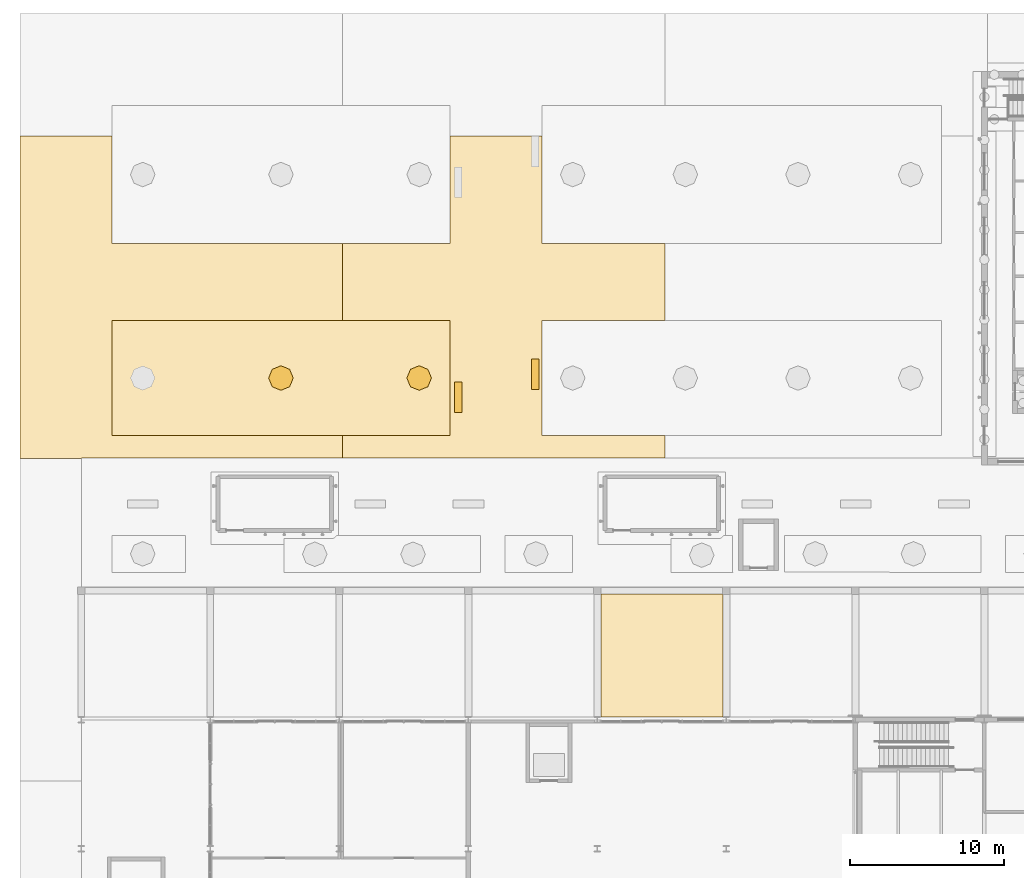
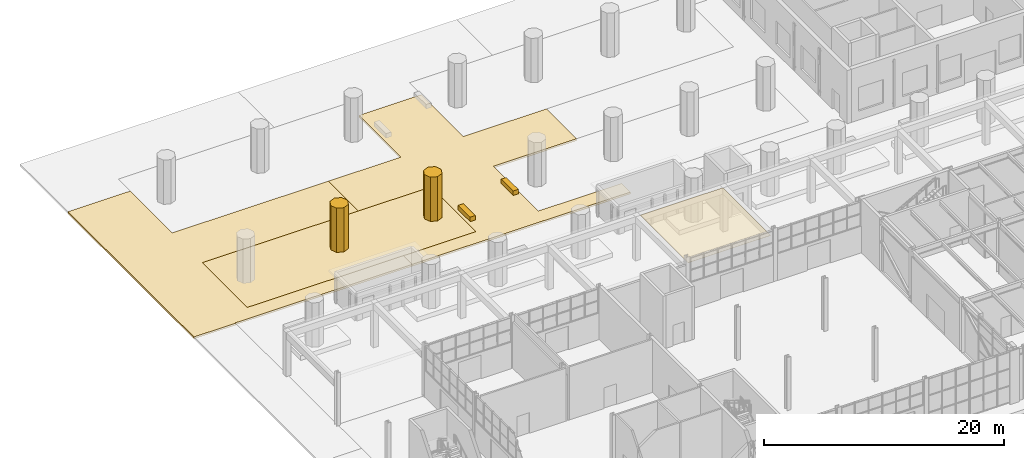
# One storey, part 115 of 127: 8 coverings.
"""IFC4 building model written with IfcOpenShell, lengths in metres."""

from ifc_helpers import new_model, si_unit, direction, frame, origin, place, context, subcontext, project, spatial, polyline, outline, extrude, material, layer, layer_set, type_object, element, save


model = new_model("IFC4")

# Units and contexts
model_context = context("Model", 3, precision=1e-05, world=origin(), true_north=direction((0.0, 1.0)))
body_context = subcontext(model_context, "Body", "Model", "MODEL_VIEW")
ifc_project = project(units=[si_unit("LENGTHUNIT", "METRE"), si_unit("AREAUNIT", "SQUARE_METRE"), si_unit("VOLUMEUNIT", "CUBIC_METRE"), si_unit("PLANEANGLEUNIT", "RADIAN"), si_unit("MASSUNIT", "GRAM", prefix="KILO")], contexts=[model_context])

# Site, building, storey
site_placement = place(None, origin())
site = spatial("IfcSite", under=ifc_project, at=site_placement, CompositionType="ELEMENT")
building_placement = place(site_placement, origin())
building = spatial("IfcBuilding", under=site, at=building_placement, Name="Ljudholm Concert House", CompositionType="ELEMENT")
storey_placement = place(building_placement, origin())
storey = spatial("IfcBuildingStorey", under=building, at=storey_placement, Name="L00", CompositionType="ELEMENT", Elevation=0.0)

# Coverings
ifc_material_1 = material(Name="Aluminium soffit panels, timber-grain PVDF finish", Category="aluminium")
ifc_layer_1 = layer(ifc_material_1, 0.02001953125)
ifc_layer_set_1 = layer_set([ifc_layer_1], Name="Aluminium soffit panels, timber-grain PVDF finish")
covering_type_1 = type_object("IfcCoveringType", Name="ALUMINIUM SOFFIT PANELS, TIMBER-GRAIN PVDF FINISH CEILING 20", PredefinedType="CEILING", material=ifc_layer_set_1)
covering_1_placement = place(storey_placement, frame((0.0, 0.0, 4.47998046875)))
element("IfcCovering", 1, at=covering_1_placement, inside=storey, type_object=covering_type_1, Name="Arcade soffit", PredefinedType="CEILING", context=body_context, shape_type="SweptSolid", body=[
    extrude(outline(polyline([(37.824951171875, 130.186767578125), (45.77490234375, 130.186767578125), (45.77490234375, 138.175048828125), (37.824951171875, 138.175048828125), (37.824951171875, 130.186767578125)])), origin(), (0.0, 0.0, 1.0), 0.02001953125),
])
ifc_material_2 = material(Name="Planting soil and ground cover")
ifc_layer_2 = layer(ifc_material_2, 0.449951171875)
ifc_layer_set_2 = layer_set([ifc_layer_2], Name="Planting soil and ground cover")
covering_type_2 = type_object("IfcCoveringType", Name="PLANTING SOIL AND GROUND COVER FLOOR FINISH 450", PredefinedType="FLOORING", material=ifc_layer_set_2)
covering_2_placement = place(storey_placement, frame((0.0, 0.0, -0.449951171875)))
element("IfcCovering", 2, at=covering_2_placement, inside=storey, type_object=covering_type_2, Name="Garden bed", PredefinedType="FLOORING", context=body_context, shape_type="SweptSolid", body=[
    extrude(outline(polyline([(6.0, 148.5), (28.0, 148.5), (28.0, 156.0), (6.0, 156.0), (6.0, 148.5)])), origin(), (0.0, 0.0, 1.0), 0.449951171875),
])
ifc_material_3 = material(Name="Precast concrete pavers on compacted sand bed", Category="concrete")
ifc_layer_3 = layer(ifc_material_3, 0.199951171875)
ifc_layer_set_3 = layer_set([ifc_layer_3], Name="Precast concrete pavers on compacted sand bed")
covering_type_3 = type_object("IfcCoveringType", Name="PRECAST CONCRETE PAVERS ON COMPACTED SAND BED PAVING 200", PredefinedType="USERDEFINED", material=ifc_layer_set_3)
covering_3_placement = place(storey_placement, frame((0.0, 0.0, -0.199951171875)))
element("IfcCovering", 3, at=covering_3_placement, inside=storey, type_object=covering_type_3, Name="Paving", ObjectType="PAVING", PredefinedType="USERDEFINED", context=body_context, shape_type="SweptSolid", body=[
    extrude(outline(polyline([(0.010009765625, 168.0), (6.0, 168.0), (6.0, 161.0), (21.0, 161.0), (21.0, 156.0), (6.0, 156.0), (6.0, 148.5), (21.0, 148.5), (21.0, 147.050048828125), (4.0, 147.050048828125), (4.0, 147.0), (0.010009765625, 147.0), (0.010009765625, 168.0)])), origin(), (0.0, 0.0, 1.0), 0.199951171875),
])
covering_4_placement = place(storey_placement, frame((0.0, 0.0, -0.199951171875)))
element("IfcCovering", 4, at=covering_4_placement, inside=storey, type_object=covering_type_3, Name="Paving", ObjectType="PAVING", PredefinedType="USERDEFINED", context=body_context, shape_type="SweptSolid", body=[
    extrude(outline(polyline([(21.0, 147.050048828125), (21.0, 148.5), (28.0, 148.5), (28.0, 156.0), (21.0, 156.0), (21.0, 161.0), (28.0, 161.0), (28.0, 168.0), (34.0, 168.0), (34.0, 161.0), (42.0, 161.0), (42.0, 156.0), (34.0, 156.0), (34.0, 148.5), (42.0, 148.5), (42.0, 147.050048828125), (21.0, 147.050048828125)])), origin(), (0.0, 0.0, 1.0), 0.199951171875),
])
ifc_material_4 = material(Name="Timber-grain hardwood decking on concrete plinth", Category="concrete")
ifc_layer_4 = layer(ifc_material_4, 0.449951171875)
ifc_layer_set_4 = layer_set([ifc_layer_4], Name="Timber-grain hardwood decking on concrete plinth")
covering_type_4 = type_object("IfcCoveringType", Name="TIMBER-GRAIN HARDWOOD DECKING ON CONCRETE PLINTH FLOOR FINISH 450", PredefinedType="FLOORING", material=ifc_layer_set_4)
covering_5_placement = place(storey_placement, origin())
element("IfcCovering", 5, at=covering_5_placement, inside=storey, type_object=covering_type_4, Name="Timber seating platform", PredefinedType="FLOORING", context=body_context, shape_type="SweptSolid", body=[
    extrude(outline(polyline([(28.300048828125, 150.0), (28.800048828125, 150.0), (28.800048828125, 152.0), (28.300048828125, 152.0), (28.300048828125, 150.0)])), origin(), (0.0, 0.0, 1.0), 0.449951171875),
])
covering_6_placement = place(storey_placement, origin())
element("IfcCovering", 6, at=covering_6_placement, inside=storey, type_object=covering_type_4, Name="Timber seating platform", PredefinedType="FLOORING", context=body_context, shape_type="SweptSolid", body=[
    extrude(outline(polyline([(33.300048828125, 151.5), (33.800048828125, 151.5), (33.800048828125, 153.5), (33.300048828125, 153.5), (33.300048828125, 151.5)])), origin(), (0.0, 0.0, 1.0), 0.449951171875),
])
ifc_material_5 = material(Name="Tree planting")
covering_type_5 = type_object("IfcCoveringType", Name="TREE TRUNK AND CROWN 1600", PredefinedType="USERDEFINED", material=ifc_material_5)
covering_7_placement = place(storey_placement, origin())
element("IfcCovering", 7, at=covering_7_placement, inside=storey, type_object=covering_type_5, Name="Tree", ObjectType="TREE", PredefinedType="USERDEFINED", context=body_context, shape_type="SweptSolid", body=[
    extrude(outline(polyline([(17.800048828125, 152.25), (17.565673828125, 152.815673828125), (17.0, 153.050048828125), (16.434326171875, 152.815673828125), (16.199951171875, 152.25), (16.434326171875, 151.684326171875), (17.0, 151.449951171875), (17.565673828125, 151.684326171875), (17.800048828125, 152.25)])), origin(), (0.0, 0.0, 1.0), 4.5),
])
covering_8_placement = place(storey_placement, origin())
element("IfcCovering", 8, at=covering_8_placement, inside=storey, type_object=covering_type_5, Name="Tree", ObjectType="TREE", PredefinedType="USERDEFINED", context=body_context, shape_type="SweptSolid", body=[
    extrude(outline(polyline([(26.800048828125, 152.25), (26.565673828125, 152.815673828125), (26.0, 153.050048828125), (25.434326171875, 152.815673828125), (25.199951171875, 152.25), (25.434326171875, 151.684326171875), (26.0, 151.449951171875), (26.565673828125, 151.684326171875), (26.800048828125, 152.25)])), origin(), (0.0, 0.0, 1.0), 4.5),
])

save(model, "model.ifc")
